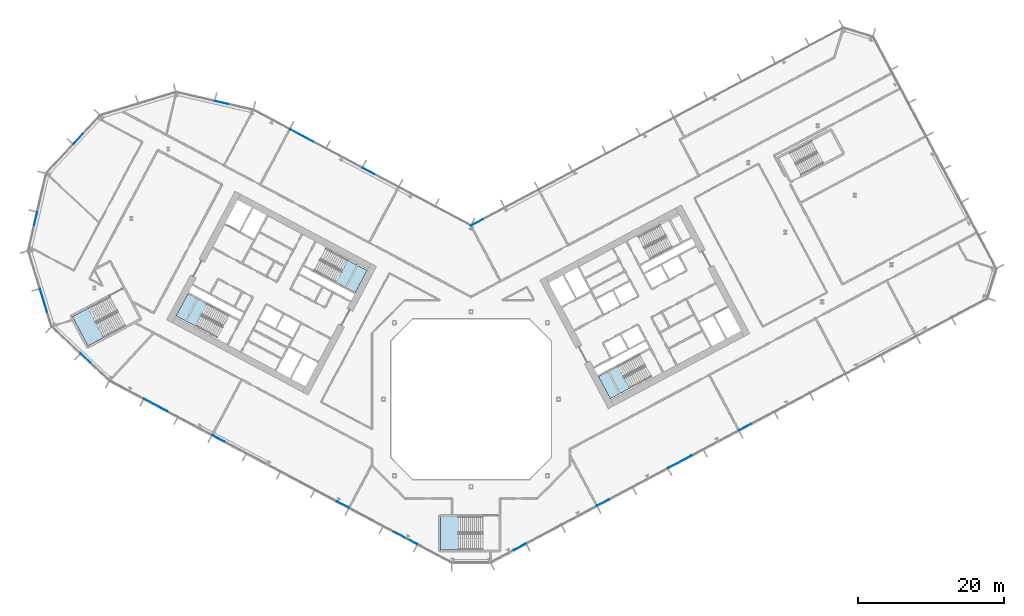
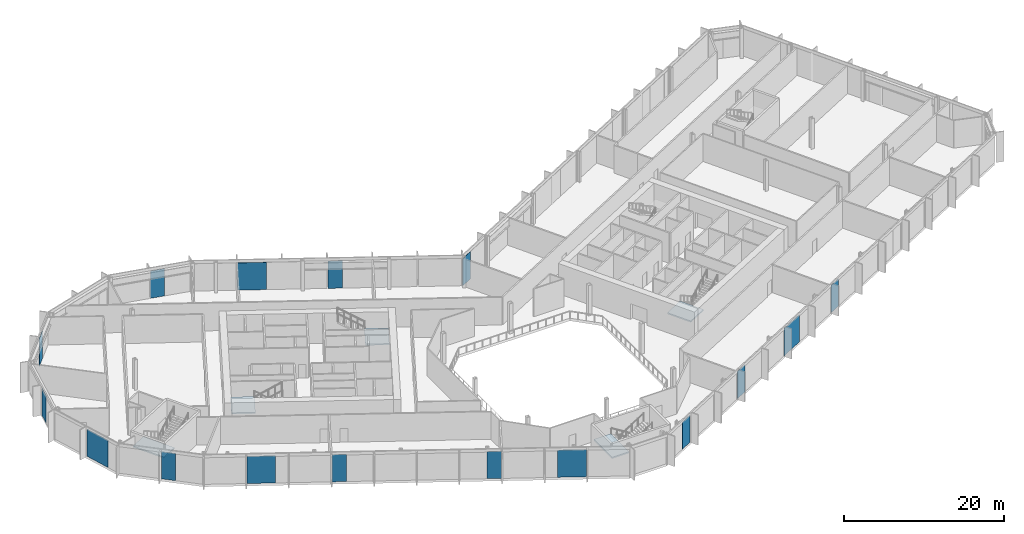
# One storey, part 10 of 32: 16 plates, 5 slabs, 14 elements without a shape of their own.
"""IFC4 building model written with IfcOpenShell, lengths in metres."""

from ifc_helpers import new_model, si_unit, direction, frame, origin, origin_2d, place, context, subcontext, project, spatial, polyline, rectangle, outline, extrude, material, layer, layer_set, type_object, element, aggregate, save


model = new_model("IFC4")

# Units and contexts
model_context = context("Model", 3, precision=1e-05, world=origin(), true_north=direction((0.0, 1.0)))
body_context = subcontext(model_context, "Body", "Model", "MODEL_VIEW")
ifc_project = project(units=[si_unit("LENGTHUNIT", "METRE"), si_unit("AREAUNIT", "SQUARE_METRE"), si_unit("VOLUMEUNIT", "CUBIC_METRE"), si_unit("PLANEANGLEUNIT", "RADIAN"), si_unit("MASSUNIT", "GRAM", prefix="KILO")], contexts=[model_context])

# Site, building, storey
site_placement = place(None, origin())
site = spatial("IfcSite", under=ifc_project, at=site_placement, CompositionType="ELEMENT")
building_placement = place(site_placement, origin())
building = spatial("IfcBuilding", under=site, at=building_placement, Name="Cormorant Relay Tower", CompositionType="ELEMENT")
storey_placement = place(building_placement, frame((0.0, 0.0, 75.39990234375)))
storey = spatial("IfcBuildingStorey", under=building, at=storey_placement, Name="L14", CompositionType="ELEMENT", Elevation=75.39990234375)

# Curtain wall, plates
ifc_material_1 = material(Name="Aluminium 6063-T6 anodised bronze", Category="aluminium")
ifc_layer_1 = layer(ifc_material_1, 0.199951171875)
ifc_layer_set_1 = layer_set([ifc_layer_1], Name="CW1 unitised bronze curtain wall with vertical fins")
curtain_wall_type = type_object("IfcCurtainWallType", Name="CW1 unitised bronze curtain wall with vertical fins", PredefinedType="NOTDEFINED", material=ifc_layer_set_1)
curtain_wall_1_placement = place(storey_placement, origin())
curtain_wall_1 = element("IfcCurtainWall", 1, at=curtain_wall_1_placement, inside=storey, type_object=curtain_wall_type, Name="CW1 curtain wall 2", PredefinedType="NOTDEFINED")
ifc_material_2 = material(Name="Tinted laminated glass", Category="glass")
ifc_layer_2 = layer(ifc_material_2, 0.0400390625)
ifc_layer_set_2 = layer_set([ifc_layer_2], Name="CW1 tinted vision panel 1800 module")
plate_type_1 = type_object("IfcPlateType", Name="CW1 tinted vision panel 1800 module", PredefinedType="CURTAIN_PANEL", material=ifc_layer_set_2)
plate_1_placement = place(storey_placement, frame((6.6640625, -20.26318359375, 0.000244140625), z_axis=(0.0, 0.0, 1.0), x_axis=(0.882947592859, 0.469471562786, 0.0)))
plate_1 = element("IfcPlate", 2, at=plate_1_placement, type_object=plate_type_1, Name="CW1 panel V01", PredefinedType="CURTAIN_PANEL", context=body_context, shape_type="SweptSolid", body=[
    extrude(rectangle(XDim=1.800048828125, YDim=0.0400390625, at=origin_2d()), origin(), (0.0, 0.0, 1.0), 4.14990234375),
])
plate_2_placement = place(storey_placement, frame((18.119140625, -14.172607421875, 0.000244140625), z_axis=(0.0, 0.0, 1.0), x_axis=(0.882947592859, 0.469471562786, 0.0)))
plate_2 = element("IfcPlate", 3, at=plate_2_placement, type_object=plate_type_1, Name="CW1 panel V04", PredefinedType="CURTAIN_PANEL", context=body_context, shape_type="SweptSolid", body=[
    extrude(rectangle(XDim=1.800048828125, YDim=0.0400390625, at=origin_2d()), origin(), (0.0, 0.0, 1.0), 4.14990234375),
])
plate_3_placement = place(storey_placement, frame((37.585693359375, -3.822021484375, 0.000244140625), z_axis=(0.0, 0.0, 1.0), x_axis=(0.882947592859, 0.469471562786, 0.0)))
plate_3 = element("IfcPlate", 4, at=plate_3_placement, type_object=plate_type_1, Name="CW1 panel V08", PredefinedType="CURTAIN_PANEL", context=body_context, shape_type="SweptSolid", body=[
    extrude(rectangle(XDim=1.800048828125, YDim=0.0400390625, at=origin_2d()), origin(), (0.0, 0.0, 1.0), 4.14990234375),
])

# Curtain wall, plate
curtain_wall_2_placement = place(storey_placement, origin())
curtain_wall_2 = element("IfcCurtainWall", 5, at=curtain_wall_2_placement, inside=storey, type_object=curtain_wall_type, Name="CW1 curtain wall 6", PredefinedType="NOTDEFINED")
plate_4_placement = place(storey_placement, frame((0.785400390625, 24.22412109375, 0.000244140625), z_axis=(0.0, 0.0, 1.0), x_axis=(-0.882947592859, -0.469471562786, 0.0)))
plate_4 = element("IfcPlate", 6, at=plate_4_placement, type_object=plate_type_1, Name="CW1 panel V10", PredefinedType="CURTAIN_PANEL", context=body_context, shape_type="SweptSolid", body=[
    extrude(rectangle(XDim=1.800048828125, YDim=0.0400390625, at=origin_2d()), origin(), (0.0, 0.0, 1.0), 4.14990234375),
])
aggregate(curtain_wall_2, [plate_4])

curtain_wall_3_placement = place(storey_placement, origin())
curtain_wall_3 = element("IfcCurtainWall", 7, at=curtain_wall_3_placement, inside=storey, type_object=curtain_wall_type, Name="CW1 curtain wall 7", PredefinedType="NOTDEFINED")
plate_5_placement = place(storey_placement, frame((-14.066650390625, 31.285888671875, 0.000244140625), z_axis=(0.0, 0.0, 1.0), x_axis=(-0.882947592859, 0.469471562786, 0.0)))
plate_5 = element("IfcPlate", 8, at=plate_5_placement, type_object=plate_type_1, Name="CW1 panel V02", PredefinedType="CURTAIN_PANEL", context=body_context, shape_type="SweptSolid", body=[
    extrude(rectangle(XDim=1.800048828125, YDim=0.0400390625, at=origin_2d()), origin(), (0.0, 0.0, 1.0), 4.14990234375),
])

curtain_wall_4_placement = place(storey_placement, origin())
curtain_wall_4 = element("IfcCurtainWall", 9, at=curtain_wall_4_placement, inside=storey, type_object=curtain_wall_type, Name="CW1 curtain wall 8", PredefinedType="NOTDEFINED")
plate_6_placement = place(storey_placement, frame((-34.215087890625, 40.69091796875, 0.000244140625), z_axis=(0.0, 0.0, 1.0), x_axis=(-0.974370064785, 0.224951054344, 0.0)))
plate_6 = element("IfcPlate", 10, at=plate_6_placement, type_object=plate_type_1, Name="CW1 panel V01", PredefinedType="CURTAIN_PANEL", context=body_context, shape_type="SweptSolid", body=[
    extrude(rectangle(XDim=1.800048828125, YDim=0.0400390625, at=origin_2d()), origin(), (0.0, 0.0, 1.0), 4.14990234375),
])
aggregate(curtain_wall_4, [plate_6])

curtain_wall_5_placement = place(storey_placement, origin())
curtain_wall_5 = element("IfcCurtainWall", 11, at=curtain_wall_5_placement, inside=storey, type_object=curtain_wall_type, Name="CW1 curtain wall 10", PredefinedType="NOTDEFINED")
plate_7_placement = place(storey_placement, frame((-53.91748046875, 35.68701171875, 0.000244140625), z_axis=(0.0, 0.0, 1.0), x_axis=(-0.681998360062, -0.731353701619, 0.0)))
plate_7 = element("IfcPlate", 12, at=plate_7_placement, type_object=plate_type_1, Name="CW1 panel V01", PredefinedType="CURTAIN_PANEL", context=body_context, shape_type="SweptSolid", body=[
    extrude(rectangle(XDim=1.800048828125, YDim=0.0400390625, at=origin_2d()), origin(), (0.0, 0.0, 1.0), 4.14990234375),
])
aggregate(curtain_wall_5, [plate_7])

curtain_wall_6_placement = place(storey_placement, origin())
curtain_wall_6 = element("IfcCurtainWall", 13, at=curtain_wall_6_placement, inside=storey, type_object=curtain_wall_type, Name="CW1 curtain wall 11", PredefinedType="NOTDEFINED")
plate_8_placement = place(storey_placement, frame((-59.736083984375, 24.74365234375, 0.000244140625), z_axis=(0.0, 0.0, 1.0), x_axis=(-0.224951054344, -0.974370064785, 0.0)))
plate_8 = element("IfcPlate", 14, at=plate_8_placement, type_object=plate_type_1, Name="CW1 panel V01", PredefinedType="CURTAIN_PANEL", context=body_context, shape_type="SweptSolid", body=[
    extrude(rectangle(XDim=1.800048828125, YDim=0.0400390625, at=origin_2d()), origin(), (0.0, 0.0, 1.0), 4.14990234375),
])
aggregate(curtain_wall_6, [plate_8])

curtain_wall_7_placement = place(storey_placement, origin())
curtain_wall_7 = element("IfcCurtainWall", 15, at=curtain_wall_7_placement, inside=storey, type_object=curtain_wall_type, Name="CW1 curtain wall 13", PredefinedType="NOTDEFINED")
plate_9_placement = place(storey_placement, frame((-52.8671875, 5.611572265625, 0.000244140625), z_axis=(0.0, 0.0, 1.0), x_axis=(0.731353701619, -0.681998360062, 0.0)))
plate_9 = element("IfcPlate", 16, at=plate_9_placement, type_object=plate_type_1, Name="CW1 panel V01", PredefinedType="CURTAIN_PANEL", context=body_context, shape_type="SweptSolid", body=[
    extrude(rectangle(XDim=1.800048828125, YDim=0.0400390625, at=origin_2d()), origin(), (0.0, 0.0, 1.0), 4.14990234375),
])
aggregate(curtain_wall_7, [plate_9])

# Curtain wall, plates
curtain_wall_8_placement = place(storey_placement, origin())
curtain_wall_8 = element("IfcCurtainWall", 17, at=curtain_wall_8_placement, inside=storey, type_object=curtain_wall_type, Name="CW1 curtain wall 14", PredefinedType="NOTDEFINED")
plate_10_placement = place(storey_placement, frame((-34.6572265625, -5.37890625, 0.000244140625), z_axis=(0.0, 0.0, 1.0), x_axis=(0.882947592859, -0.469471562786, 0.0)))
plate_10 = element("IfcPlate", 18, at=plate_10_placement, type_object=plate_type_1, Name="CW1 panel V03", PredefinedType="CURTAIN_PANEL", context=body_context, shape_type="SweptSolid", body=[
    extrude(rectangle(XDim=1.800048828125, YDim=0.0400390625, at=origin_2d()), origin(), (0.0, 0.0, 1.0), 4.14990234375),
])
plate_11_placement = place(storey_placement, frame((-17.601806640625, -14.447509765625, 0.000244140625), z_axis=(0.0, 0.0, 1.0), x_axis=(0.882947592859, -0.469471562786, 0.0)))
plate_11 = element("IfcPlate", 19, at=plate_11_placement, type_object=plate_type_1, Name="CW1 panel V06", PredefinedType="CURTAIN_PANEL", context=body_context, shape_type="SweptSolid", body=[
    extrude(rectangle(XDim=1.800048828125, YDim=0.0400390625, at=origin_2d()), origin(), (0.0, 0.0, 1.0), 4.14990234375),
])

# Plate
ifc_material_3 = material(Name="Tinted laminated glass", Category="glass")
ifc_layer_3 = layer(ifc_material_3, 0.0400390625)
ifc_layer_set_3 = layer_set([ifc_layer_3], Name="CW1 tinted vision panel 3600 module")
plate_type_2 = type_object("IfcPlateType", Name="CW1 tinted vision panel 3600 module", PredefinedType="CURTAIN_PANEL", material=ifc_layer_set_3)
plate_12_placement = place(storey_placement, frame((28.647216796875, -8.57470703125, 0.000244140625), z_axis=(0.0, 0.0, 1.0), x_axis=(0.882947592859, 0.469471562786, 0.0)))
plate_12 = element("IfcPlate", 20, at=plate_12_placement, type_object=plate_type_2, Name="CW1 panel V06", PredefinedType="CURTAIN_PANEL", context=body_context, shape_type="SweptSolid", body=[
    extrude(rectangle(XDim=3.60009765625, YDim=0.0400390625, at=origin_2d()), origin(), (0.0, 0.0, 1.0), 4.14990234375),
])

aggregate(curtain_wall_1, [plate_1, plate_2, plate_12, plate_3])

plate_13_placement = place(storey_placement, frame((-23.22998046875, 36.158203125, 0.000244140625), z_axis=(0.0, 0.0, 1.0), x_axis=(-0.882947592859, 0.469471562786, 0.0)))
plate_13 = element("IfcPlate", 21, at=plate_13_placement, type_object=plate_type_2, Name="CW1 panel V04", PredefinedType="CURTAIN_PANEL", context=body_context, shape_type="SweptSolid", body=[
    extrude(rectangle(XDim=3.60009765625, YDim=0.0400390625, at=origin_2d()), origin(), (0.0, 0.0, 1.0), 4.14990234375),
])

aggregate(curtain_wall_3, [plate_5, plate_13])

# Curtain wall, plate
curtain_wall_9_placement = place(storey_placement, origin())
curtain_wall_9 = element("IfcCurtainWall", 22, at=curtain_wall_9_placement, inside=storey, type_object=curtain_wall_type, Name="CW1 curtain wall 12", PredefinedType="NOTDEFINED")
plate_14_placement = place(storey_placement, frame((-58.601806640625, 13.396728515625, 0.000244140625), z_axis=(0.0, 0.0, 1.0), x_axis=(0.292371704723, -0.956304755963, 0.0)))
plate_14 = element("IfcPlate", 23, at=plate_14_placement, type_object=plate_type_2, Name="CW1 panel V01", PredefinedType="CURTAIN_PANEL", context=body_context, shape_type="SweptSolid", body=[
    extrude(rectangle(XDim=3.60009765625, YDim=0.0400390625, at=origin_2d()), origin(), (0.0, 0.0, 1.0), 4.14990234375),
])
aggregate(curtain_wall_9, [plate_14])

# Plate
plate_15_placement = place(storey_placement, frame((-43.251220703125, -0.8095703125, 0.000244140625), z_axis=(0.0, 0.0, 1.0), x_axis=(0.882947592859, -0.469471562786, 0.0)))
plate_15 = element("IfcPlate", 24, at=plate_15_placement, type_object=plate_type_2, Name="CW1 panel V01", PredefinedType="CURTAIN_PANEL", context=body_context, shape_type="SweptSolid", body=[
    extrude(rectangle(XDim=3.60009765625, YDim=0.0400390625, at=origin_2d()), origin(), (0.0, 0.0, 1.0), 4.14990234375),
])

plate_16_placement = place(storey_placement, frame((-9.008056640625, -19.01708984375, 0.000244140625), z_axis=(0.0, 0.0, 1.0), x_axis=(0.882947592859, -0.469471562786, 0.0)))
plate_16 = element("IfcPlate", 25, at=plate_16_placement, type_object=plate_type_2, Name="CW1 panel V08", PredefinedType="CURTAIN_PANEL", context=body_context, shape_type="SweptSolid", body=[
    extrude(rectangle(XDim=3.60009765625, YDim=0.0400390625, at=origin_2d()), origin(), (0.0, 0.0, 1.0), 4.14990234375),
])

aggregate(curtain_wall_8, [plate_15, plate_10, plate_11, plate_16])

# Stair, slab
ifc_material_4 = material(Name="Concrete 40 MPa", Category="concrete")
stair_type_1 = type_object("IfcStairType", Name="Exit stair 1500", PredefinedType="HALF_TURN_STAIR", material=ifc_material_4)
stair_1_placement = place(storey_placement, origin())
stair_1 = element("IfcStair", 26, at=stair_1_placement, inside=storey, type_object=stair_type_1, Name="L14 Stair", PredefinedType="HALF_TURN_STAIR")
ifc_material_5 = material(Name="Concrete 40 MPa", Category="concrete")
ifc_layer_4 = layer(ifc_material_5, 0.199951171875)
ifc_layer_set_4 = layer_set([ifc_layer_4], Name="Exit stair landing 200")
slab_type = type_object("IfcSlabType", Name="Exit stair landing 200", PredefinedType="LANDING", material=ifc_layer_set_4)
slab_1_placement = place(storey_placement, frame((0.0, 0.0, 2.10009765625)))
slab_1 = element("IfcSlab", 27, at=slab_1_placement, type_object=slab_type, Name="A1 landing 1", PredefinedType="LANDING", context=body_context, shape_type="SweptSolid", body=[
    extrude(outline(polyline([(-18.534912109375, 16.02783203125), (-15.89501953125, 14.6240234375), (-14.275390625, 17.670166015625), (-16.915283203125, 19.073974609375), (-18.534912109375, 16.02783203125)])), origin(), (0.0, 0.0, 1.0), 0.199951171875),
])
aggregate(stair_1, [slab_1])

stair_2_placement = place(storey_placement, origin())
stair_2 = element("IfcStair", 28, at=stair_2_placement, inside=storey, type_object=stair_type_1, Name="L14 Stair", PredefinedType="HALF_TURN_STAIR")
slab_2_placement = place(storey_placement, frame((0.0, 0.0, 2.10009765625)))
slab_2 = element("IfcSlab", 29, at=slab_2_placement, type_object=slab_type, Name="A2 landing 1", PredefinedType="LANDING", context=body_context, shape_type="SweptSolid", body=[
    extrude(outline(polyline([(-36.207763671875, 13.07958984375), (-38.84765625, 14.483154296875), (-40.467529296875, 11.43701171875), (-37.827392578125, 10.033447265625), (-36.207763671875, 13.07958984375)])), origin(), (0.0, 0.0, 1.0), 0.199951171875),
])
aggregate(stair_2, [slab_2])

stair_3_placement = place(storey_placement, origin())
stair_3 = element("IfcStair", 30, at=stair_3_placement, inside=storey, type_object=stair_type_1, Name="L14 Stair", PredefinedType="HALF_TURN_STAIR")
slab_3_placement = place(storey_placement, frame((0.0, 0.0, 2.10009765625)))
slab_3 = element("IfcSlab", 31, at=slab_3_placement, type_object=slab_type, Name="B1 landing 1", PredefinedType="LANDING", context=body_context, shape_type="SweptSolid", body=[
    extrude(outline(polyline([(20.120361328125, 4.525634765625), (17.48046875, 3.1220703125), (19.10009765625, 0.075927734375), (21.740234375, 1.4794921875), (20.120361328125, 4.525634765625)])), origin(), (0.0, 0.0, 1.0), 0.199951171875),
])
aggregate(stair_3, [slab_3])

ifc_material_6 = material(Name="Concrete 40 MPa", Category="concrete")
stair_type_2 = type_object("IfcStairType", Name="Remote exit stair 2200", PredefinedType="HALF_TURN_STAIR", material=ifc_material_6)
stair_4_placement = place(storey_placement, origin())
stair_4 = element("IfcStair", 32, at=stair_4_placement, inside=storey, type_object=stair_type_2, Name="L14 Stair", PredefinedType="HALF_TURN_STAIR")
slab_4_placement = place(storey_placement, frame((0.0, 0.0, 2.10009765625)))
slab_4 = element("IfcSlab", 33, at=slab_4_placement, type_object=slab_type, Name="RK1 landing 1", PredefinedType="LANDING", context=body_context, shape_type="SweptSolid", body=[
    extrude(outline(polyline([(-1.760009765625, -16.125), (-4.199951171875, -16.125), (-4.199951171875, -20.675048828125), (-1.760009765625, -20.675048828125), (-1.760009765625, -16.125)])), origin(), (0.0, 0.0, 1.0), 0.199951171875),
])
aggregate(stair_4, [slab_4])

stair_5_placement = place(storey_placement, origin())
stair_5 = element("IfcStair", 34, at=stair_5_placement, inside=storey, type_object=stair_type_2, Name="L14 Stair", PredefinedType="HALF_TURN_STAIR")
slab_5_placement = place(storey_placement, frame((0.0, 0.0, 2.10009765625)))
slab_5 = element("IfcSlab", 35, at=slab_5_placement, type_object=slab_type, Name="RP1 landing 1", PredefinedType="LANDING", context=body_context, shape_type="SweptSolid", body=[
    extrude(outline(polyline([(-52.54541015625, 12.476318359375), (-54.699951171875, 11.330810546875), (-52.563720703125, 7.3134765625), (-50.409423828125, 8.458984375), (-52.54541015625, 12.476318359375)])), origin(), (0.0, 0.0, 1.0), 0.199951171875),
])
aggregate(stair_5, [slab_5])

save(model, "model.ifc")
